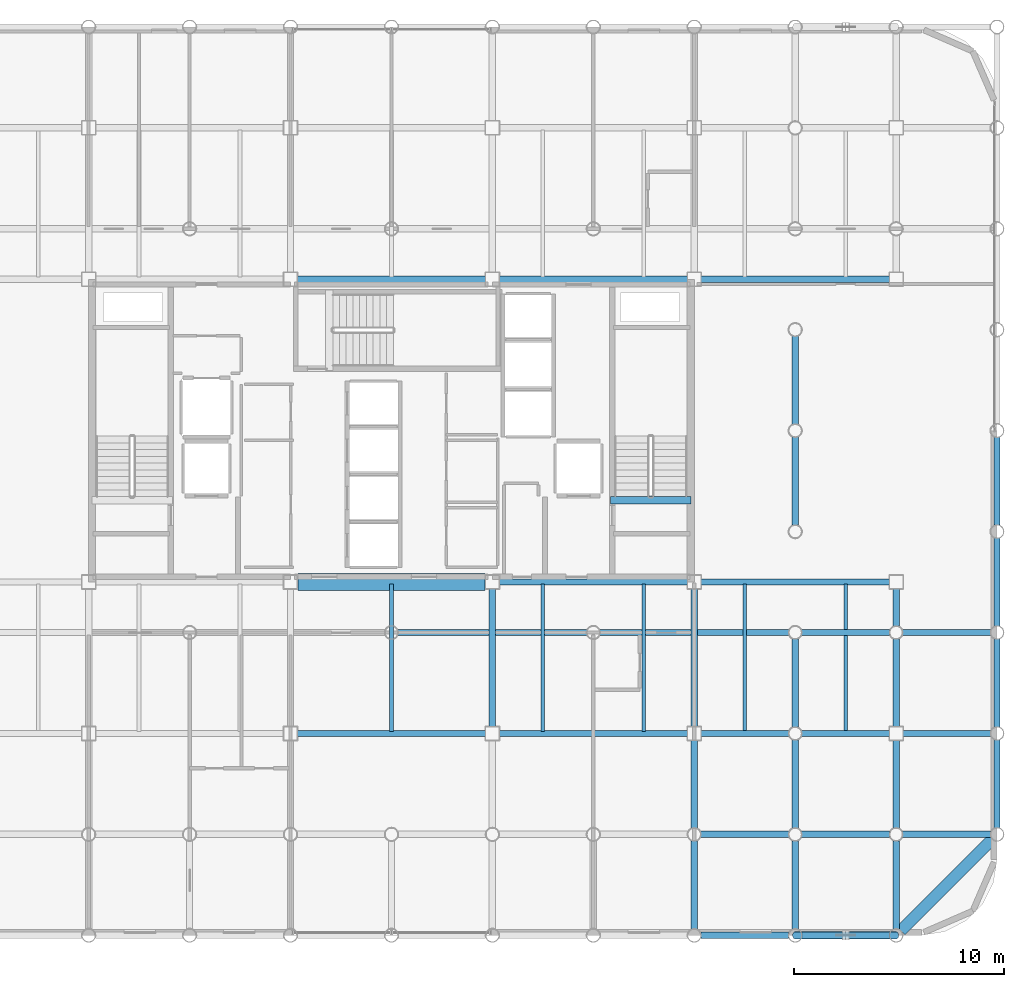
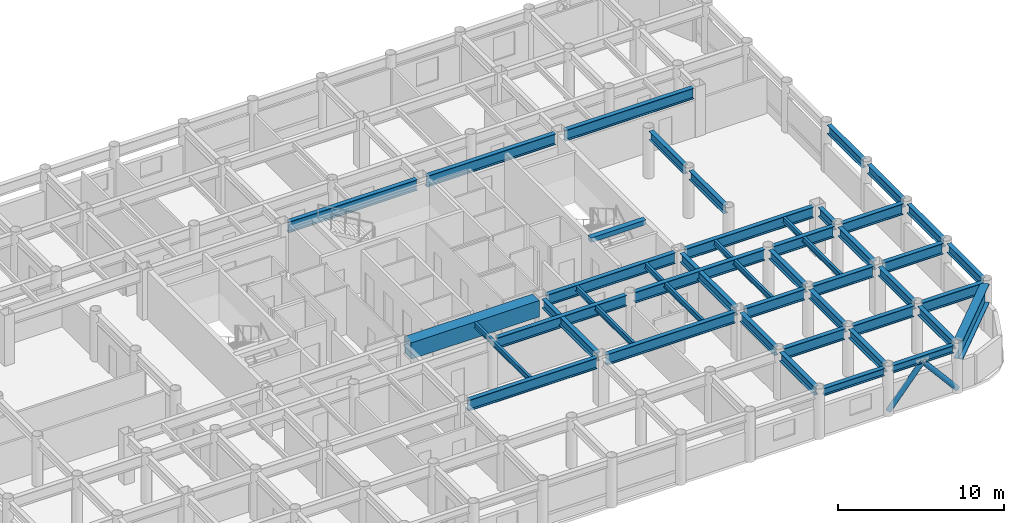
# One storey, part 7 of 20: 44 beams, 2 members.
"""IFC4 building model written with IfcOpenShell, lengths in metres."""

from ifc_helpers import new_model, si_unit, direction, frame, origin, origin_2d, place, context, subcontext, project, spatial, rectangle, hollow_circle, i_section, extrude, material, material_profile, profile_set, type_object, element, save


model = new_model("IFC4")

# Units and contexts
model_context = context("Model", 3, precision=1e-05, world=origin(), true_north=direction((0.0, 1.0)))
body_context = subcontext(model_context, "Body", "Model", "MODEL_VIEW")
ifc_project = project(units=[si_unit("LENGTHUNIT", "METRE"), si_unit("AREAUNIT", "SQUARE_METRE"), si_unit("VOLUMEUNIT", "CUBIC_METRE"), si_unit("PLANEANGLEUNIT", "RADIAN"), si_unit("MASSUNIT", "GRAM", prefix="KILO")], contexts=[model_context])

# Site, building, storey
site_placement = place(None, origin())
site = spatial("IfcSite", under=ifc_project, at=site_placement, CompositionType="ELEMENT")
building_placement = place(site_placement, origin())
building = spatial("IfcBuilding", under=site, at=building_placement, Name="Kallvorn Hotel Tower", CompositionType="ELEMENT")
storey_placement = place(building_placement, frame((0.0, 0.0, 172.89990234375)))
storey = spatial("IfcBuildingStorey", under=building, at=storey_placement, Name="L43", CompositionType="ELEMENT", Elevation=172.89990234375)

# Beams
ifc_material_1 = material(Name="Structural steel S355JR", Category="steel")
ifc_material_profile_1 = material_profile(ifc_material_1, i_section(OverallWidth=0.300048828125, OverallDepth=0.550048828125, WebThickness=0.014892578125, FlangeThickness=0.029052734375, at=origin_2d()), Name="HE 550 B")
ifc_profile_set_1 = profile_set([ifc_material_profile_1], Name="Structural steel S355JR")
beam_type_1 = type_object("IfcBeamType", Name="BM_HE550B", PredefinedType="SPANDREL", material=ifc_profile_set_1)
for number, where, z_axis, x_axis, name in (
    (1, (14.719970703125, -24.0, 3.2451171875), (1.0, 0.0, 0.0), (0.0, 1.0, 0.0), "L44 Perimeter Spandrel 160"),
    (2, (19.52001953125, -24.0, 3.2451171875), (1.0, 0.0, 0.0), (0.0, 1.0, 0.0), "L44 Perimeter Spandrel 161"),
):
    element("IfcBeam", number, at=place(storey_placement, frame(where, z_axis=z_axis, x_axis=x_axis)), inside=storey, type_object=beam_type_1, Name=name, PredefinedType="SPANDREL", context=body_context, shape_type="SweptSolid", body=[
        extrude(i_section(OverallWidth=0.300048828125, OverallDepth=0.550048828125, WebThickness=0.014892578125, FlangeThickness=0.029052734375, at=origin_2d()), origin(), (0.0, 0.0, 1.0), 4.159912109375),
    ])
ifc_material_2 = material(Name="Structural steel S355JR", Category="steel")
ifc_material_profile_2 = material_profile(ifc_material_2, i_section(OverallWidth=0.300048828125, OverallDepth=0.64990234375, WebThickness=0.01611328125, FlangeThickness=0.031005859375, at=origin_2d()), Name="HE 650 B")
ifc_profile_set_2 = profile_set([ifc_material_profile_2], Name="Structural steel S355JR")
beam_type_2 = type_object("IfcBeamType", Name="BM_HE650B", PredefinedType="BEAM", material=ifc_profile_set_2)
beam_1_placement = place(storey_placement, frame((4.800048828125, -14.074951171875, 3.195068359375), z_axis=(0.0, 1.0, 0.0), x_axis=(-1.0, 0.0, 0.0)))
element("IfcBeam", 3, at=beam_1_placement, inside=storey, type_object=beam_type_2, Name="L44 Primary Y-Girder 116", PredefinedType="BEAM", context=body_context, shape_type="SweptSolid", body=[
    extrude(i_section(OverallWidth=0.300048828125, OverallDepth=0.64990234375, WebThickness=0.01611328125, FlangeThickness=0.031005859375, at=origin_2d()), origin(), (0.0, 0.0, 1.0), 6.550048828125),
])
beam_2_placement = place(storey_placement, frame((14.39990234375, -23.695068359375, 3.195068359375), z_axis=(0.0, 1.0, 0.0), x_axis=(-1.0, 0.0, 0.0)))
element("IfcBeam", 4, at=beam_2_placement, inside=storey, type_object=beam_type_2, Name="L44 Primary Y-Girder 122", PredefinedType="BEAM", context=body_context, shape_type="SweptSolid", body=[
    extrude(i_section(OverallWidth=0.300048828125, OverallDepth=0.64990234375, WebThickness=0.01611328125, FlangeThickness=0.031005859375, at=origin_2d()), origin(), (0.0, 0.0, 1.0), 4.190185546875),
])
beam_3_placement = place(storey_placement, frame((14.39990234375, -18.89501953125, 3.195068359375), z_axis=(0.0, 1.0, 0.0), x_axis=(-1.0, 0.0, 0.0)))
element("IfcBeam", 5, at=beam_3_placement, inside=storey, type_object=beam_type_2, Name="L44 Primary Y-Girder 123", PredefinedType="BEAM", context=body_context, shape_type="SweptSolid", body=[
    extrude(i_section(OverallWidth=0.300048828125, OverallDepth=0.64990234375, WebThickness=0.01611328125, FlangeThickness=0.031005859375, at=origin_2d()), origin(), (0.0, 0.0, 1.0), 4.169921875),
])
beam_4_placement = place(storey_placement, frame((14.39990234375, -14.074951171875, 3.195068359375), z_axis=(0.0, 1.0, 0.0), x_axis=(-1.0, 0.0, 0.0)))
element("IfcBeam", 6, at=beam_4_placement, inside=storey, type_object=beam_type_2, Name="L44 Primary Y-Girder 124", PredefinedType="BEAM", context=body_context, shape_type="SweptSolid", body=[
    extrude(i_section(OverallWidth=0.300048828125, OverallDepth=0.64990234375, WebThickness=0.01611328125, FlangeThickness=0.031005859375, at=origin_2d()), origin(), (0.0, 0.0, 1.0), 6.550048828125),
])
beam_5_placement = place(storey_placement, frame((19.199951171875, -23.695068359375, 3.195068359375), z_axis=(0.0, 1.0, 0.0), x_axis=(-1.0, 0.0, 0.0)))
element("IfcBeam", 7, at=beam_5_placement, inside=storey, type_object=beam_type_2, Name="L44 Primary Y-Girder 127", PredefinedType="BEAM", context=body_context, shape_type="SweptSolid", body=[
    extrude(i_section(OverallWidth=0.300048828125, OverallDepth=0.64990234375, WebThickness=0.01611328125, FlangeThickness=0.031005859375, at=origin_2d()), origin(), (0.0, 0.0, 1.0), 4.190185546875),
])
for number, where, z_axis, x_axis, name in (
    (8, (19.199951171875, -18.89501953125, 3.195068359375), (0.0, 1.0, 0.0), (-1.0, 0.0, 0.0), "L44 Primary Y-Girder 128"),
    (9, (19.199951171875, -14.094970703125, 3.195068359375), (0.0, 1.0, 0.0), (-1.0, 0.0, 0.0), "L44 Primary Y-Girder 129"),
):
    element("IfcBeam", number, at=place(storey_placement, frame(where, z_axis=z_axis, x_axis=x_axis)), inside=storey, type_object=beam_type_2, Name=name, PredefinedType="BEAM", context=body_context, shape_type="SweptSolid", body=[
        extrude(i_section(OverallWidth=0.300048828125, OverallDepth=0.64990234375, WebThickness=0.01611328125, FlangeThickness=0.031005859375, at=origin_2d()), origin(), (0.0, 0.0, 1.0), 4.18994140625),
    ])
for number, where, z_axis, x_axis, name in (
    (10, (19.199951171875, -4.4951171875, 3.195068359375), (0.0, 1.0, 0.0), (-1.0, 0.0, 0.0), "L44 Primary Y-Girder 131"),
    (11, (19.199951171875, 0.304931640625, 3.195068359375), (0.0, 1.0, 0.0), (-1.0, 0.0, 0.0), "L44 Primary Y-Girder 132"),
    (12, (24.0, -23.695068359375, 3.195068359375), (0.0, 1.0, 0.0), (-1.0, 0.0, 0.0), "L44 Primary Y-Girder 136"),
):
    element("IfcBeam", number, at=place(storey_placement, frame(where, z_axis=z_axis, x_axis=x_axis)), inside=storey, type_object=beam_type_2, Name=name, PredefinedType="BEAM", context=body_context, shape_type="SweptSolid", body=[
        extrude(i_section(OverallWidth=0.300048828125, OverallDepth=0.64990234375, WebThickness=0.01611328125, FlangeThickness=0.031005859375, at=origin_2d()), origin(), (0.0, 0.0, 1.0), 4.190185546875),
    ])
for number, where, z_axis, x_axis, name in (
    (13, (24.0, -18.89501953125, 3.195068359375), (0.0, 1.0, 0.0), (-1.0, 0.0, 0.0), "L44 Primary Y-Girder 137"),
    (14, (24.0, -14.074951171875, 3.195068359375), (0.0, 1.0, 0.0), (-1.0, 0.0, 0.0), "L44 Primary Y-Girder 138"),
):
    element("IfcBeam", number, at=place(storey_placement, frame(where, z_axis=z_axis, x_axis=x_axis)), inside=storey, type_object=beam_type_2, Name=name, PredefinedType="BEAM", context=body_context, shape_type="SweptSolid", body=[
        extrude(i_section(OverallWidth=0.300048828125, OverallDepth=0.64990234375, WebThickness=0.01611328125, FlangeThickness=0.031005859375, at=origin_2d()), origin(), (0.0, 0.0, 1.0), 4.169921875),
    ])
beam_6_placement = place(storey_placement, frame((24.0, -9.294921875, 3.195068359375), z_axis=(0.0, 1.0, 0.0), x_axis=(-1.0, 0.0, 0.0)))
element("IfcBeam", 15, at=beam_6_placement, inside=storey, type_object=beam_type_2, Name="L44 Primary Y-Girder 139", PredefinedType="BEAM", context=body_context, shape_type="SweptSolid", body=[
    extrude(i_section(OverallWidth=0.300048828125, OverallDepth=0.64990234375, WebThickness=0.01611328125, FlangeThickness=0.031005859375, at=origin_2d()), origin(), (0.0, 0.0, 1.0), 1.77001953125),
])
for number, where, z_axis, x_axis, name in (
    (16, (28.800048828125, -18.89501953125, 3.195068359375), (0.0, 1.0, 0.0), (-1.0, 0.0, 0.0), "L44 Primary Y-Girder 143"),
    (17, (28.800048828125, -14.094970703125, 3.195068359375), (0.0, 1.0, 0.0), (-1.0, 0.0, 0.0), "L44 Primary Y-Girder 144"),
    (18, (28.800048828125, -9.294921875, 3.195068359375), (0.0, 1.0, 0.0), (-1.0, 0.0, 0.0), "L44 Primary Y-Girder 145"),
):
    element("IfcBeam", number, at=place(storey_placement, frame(where, z_axis=z_axis, x_axis=x_axis)), inside=storey, type_object=beam_type_2, Name=name, PredefinedType="BEAM", context=body_context, shape_type="SweptSolid", body=[
        extrude(i_section(OverallWidth=0.300048828125, OverallDepth=0.64990234375, WebThickness=0.01611328125, FlangeThickness=0.031005859375, at=origin_2d()), origin(), (0.0, 0.0, 1.0), 4.18994140625),
    ])
beam_7_placement = place(storey_placement, frame((28.800048828125, -4.4951171875, 3.195068359375), z_axis=(0.0, 1.0, 0.0), x_axis=(-1.0, 0.0, 0.0)))
element("IfcBeam", 19, at=beam_7_placement, inside=storey, type_object=beam_type_2, Name="L44 Primary Y-Girder 146", PredefinedType="BEAM", context=body_context, shape_type="SweptSolid", body=[
    extrude(i_section(OverallWidth=0.300048828125, OverallDepth=0.64990234375, WebThickness=0.01611328125, FlangeThickness=0.031005859375, at=origin_2d()), origin(), (0.0, 0.0, 1.0), 4.190185546875),
])
ifc_material_3 = material(Name="Structural steel S355JR", Category="steel")
ifc_material_profile_3 = material_profile(ifc_material_3, i_section(OverallWidth=0.300048828125, OverallDepth=0.800048828125, WebThickness=0.017578125, FlangeThickness=0.032958984375, at=origin_2d()), Name="HE 800 B")
ifc_profile_set_3 = profile_set([ifc_material_profile_3], Name="Structural steel S355JR")
beam_type_3 = type_object("IfcBeamType", Name="BM_HE800B", PredefinedType="BEAM", material=ifc_profile_set_3)
beam_8_placement = place(storey_placement, frame((14.705078125, -19.199951171875, 3.1201171875), z_axis=(1.0, 0.0, 0.0), x_axis=(0.0, 1.0, 0.0)))
element("IfcBeam", 20, at=beam_8_placement, inside=storey, type_object=beam_type_3, Name="L44 Primary X-Girder 11", PredefinedType="BEAM", context=body_context, shape_type="SweptSolid", body=[
    extrude(i_section(OverallWidth=0.300048828125, OverallDepth=0.800048828125, WebThickness=0.017578125, FlangeThickness=0.032958984375, at=origin_2d()), origin(), (0.0, 0.0, 1.0), 4.18994140625),
])
for number, where, z_axis, x_axis, name in (
    (21, (19.5048828125, -19.199951171875, 3.1201171875), (1.0, 0.0, 0.0), (0.0, 1.0, 0.0), "L44 Primary X-Girder 12"),
    (22, (24.304931640625, -19.199951171875, 3.1201171875), (1.0, 0.0, 0.0), (0.0, 1.0, 0.0), "L44 Primary X-Girder 13"),
):
    element("IfcBeam", number, at=place(storey_placement, frame(where, z_axis=z_axis, x_axis=x_axis)), inside=storey, type_object=beam_type_3, Name=name, PredefinedType="BEAM", context=body_context, shape_type="SweptSolid", body=[
        extrude(i_section(OverallWidth=0.300048828125, OverallDepth=0.800048828125, WebThickness=0.017578125, FlangeThickness=0.032958984375, at=origin_2d()), origin(), (0.0, 0.0, 1.0), 4.190185546875),
    ])
beam_9_placement = place(storey_placement, frame((-4.47509765625, -14.39990234375, 3.1201171875), z_axis=(1.0, 0.0, 0.0), x_axis=(0.0, 1.0, 0.0)))
element("IfcBeam", 23, at=beam_9_placement, inside=storey, type_object=beam_type_3, Name="L44 Primary X-Girder 19", PredefinedType="BEAM", context=body_context, shape_type="SweptSolid", body=[
    extrude(i_section(OverallWidth=0.300048828125, OverallDepth=0.800048828125, WebThickness=0.017578125, FlangeThickness=0.032958984375, at=origin_2d()), origin(), (0.0, 0.0, 1.0), 8.9501953125),
])
beam_10_placement = place(storey_placement, frame((5.125, -14.39990234375, 3.1201171875), z_axis=(1.0, 0.0, 0.0), x_axis=(0.0, 1.0, 0.0)))
element("IfcBeam", 24, at=beam_10_placement, inside=storey, type_object=beam_type_3, Name="L44 Primary X-Girder 20", PredefinedType="BEAM", context=body_context, shape_type="SweptSolid", body=[
    extrude(i_section(OverallWidth=0.300048828125, OverallDepth=0.800048828125, WebThickness=0.017578125, FlangeThickness=0.032958984375, at=origin_2d()), origin(), (0.0, 0.0, 1.0), 8.949951171875),
])
beam_11_placement = place(storey_placement, frame((14.72509765625, -14.39990234375, 3.1201171875), z_axis=(1.0, 0.0, 0.0), x_axis=(0.0, 1.0, 0.0)))
element("IfcBeam", 25, at=beam_11_placement, inside=storey, type_object=beam_type_3, Name="L44 Primary X-Girder 21", PredefinedType="BEAM", context=body_context, shape_type="SweptSolid", body=[
    extrude(i_section(OverallWidth=0.300048828125, OverallDepth=0.800048828125, WebThickness=0.017578125, FlangeThickness=0.032958984375, at=origin_2d()), origin(), (0.0, 0.0, 1.0), 4.169921875),
])
for number, where, z_axis, x_axis, name in (
    (26, (19.5048828125, -14.39990234375, 3.1201171875), (1.0, 0.0, 0.0), (0.0, 1.0, 0.0), "L44 Primary X-Girder 22"),
    (27, (24.324951171875, -14.39990234375, 3.1201171875), (1.0, 0.0, 0.0), (0.0, 1.0, 0.0), "L44 Primary X-Girder 23"),
):
    element("IfcBeam", number, at=place(storey_placement, frame(where, z_axis=z_axis, x_axis=x_axis)), inside=storey, type_object=beam_type_3, Name=name, PredefinedType="BEAM", context=body_context, shape_type="SweptSolid", body=[
        extrude(i_section(OverallWidth=0.300048828125, OverallDepth=0.800048828125, WebThickness=0.017578125, FlangeThickness=0.032958984375, at=origin_2d()), origin(), (0.0, 0.0, 1.0), 4.170166015625),
    ])
for number, where, z_axis, x_axis, name in (
    (28, (0.304931640625, -9.60009765625, 3.1201171875), (1.0, 0.0, 0.0), (0.0, 1.0, 0.0), "L44 Primary X-Girder 29"),
    (29, (9.905029296875, -9.60009765625, 3.1201171875), (1.0, 0.0, 0.0), (0.0, 1.0, 0.0), "L44 Primary X-Girder 30"),
):
    element("IfcBeam", number, at=place(storey_placement, frame(where, z_axis=z_axis, x_axis=x_axis)), inside=storey, type_object=beam_type_3, Name=name, PredefinedType="BEAM", context=body_context, shape_type="SweptSolid", body=[
        extrude(i_section(OverallWidth=0.300048828125, OverallDepth=0.800048828125, WebThickness=0.017578125, FlangeThickness=0.032958984375, at=origin_2d()), origin(), (0.0, 0.0, 1.0), 8.989990234375),
    ])
for number, where, z_axis, x_axis, name in (
    (30, (19.5048828125, -9.60009765625, 3.1201171875), (1.0, 0.0, 0.0), (0.0, 1.0, 0.0), "L44 Primary X-Girder 31"),
    (31, (24.304931640625, -9.60009765625, 3.1201171875), (1.0, 0.0, 0.0), (0.0, 1.0, 0.0), "L44 Primary X-Girder 32"),
):
    element("IfcBeam", number, at=place(storey_placement, frame(where, z_axis=z_axis, x_axis=x_axis)), inside=storey, type_object=beam_type_3, Name=name, PredefinedType="BEAM", context=body_context, shape_type="SweptSolid", body=[
        extrude(i_section(OverallWidth=0.300048828125, OverallDepth=0.800048828125, WebThickness=0.017578125, FlangeThickness=0.032958984375, at=origin_2d()), origin(), (0.0, 0.0, 1.0), 4.190185546875),
    ])
for number, where, z_axis, x_axis, name in (
    (32, (5.125, -7.199951171875, 3.1201171875), (1.0, 0.0, 0.0), (0.0, 1.0, 0.0), "L44 Primary X-Girder 35"),
    (33, (14.72509765625, -7.199951171875, 3.1201171875), (1.0, 0.0, 0.0), (0.0, 1.0, 0.0), "L44 Primary X-Girder 36"),
):
    element("IfcBeam", number, at=place(storey_placement, frame(where, z_axis=z_axis, x_axis=x_axis)), inside=storey, type_object=beam_type_3, Name=name, PredefinedType="BEAM", context=body_context, shape_type="SweptSolid", body=[
        extrude(i_section(OverallWidth=0.300048828125, OverallDepth=0.800048828125, WebThickness=0.017578125, FlangeThickness=0.032958984375, at=origin_2d()), origin(), (0.0, 0.0, 1.0), 8.949951171875),
    ])
beam_12_placement = place(storey_placement, frame((-4.47509765625, 7.199951171875, 3.1201171875), z_axis=(1.0, 0.0, 0.0), x_axis=(0.0, 1.0, 0.0)))
element("IfcBeam", 34, at=beam_12_placement, inside=storey, type_object=beam_type_3, Name="L44 Primary X-Girder 39", PredefinedType="BEAM", context=body_context, shape_type="SweptSolid", body=[
    extrude(i_section(OverallWidth=0.300048828125, OverallDepth=0.800048828125, WebThickness=0.017578125, FlangeThickness=0.032958984375, at=origin_2d()), origin(), (0.0, 0.0, 1.0), 8.9501953125),
])
for number, where, z_axis, x_axis, name in (
    (35, (5.125, 7.199951171875, 3.1201171875), (1.0, 0.0, 0.0), (0.0, 1.0, 0.0), "L44 Primary X-Girder 40"),
    (36, (14.72509765625, 7.199951171875, 3.1201171875), (1.0, 0.0, 0.0), (0.0, 1.0, 0.0), "L44 Primary X-Girder 41"),
):
    element("IfcBeam", number, at=place(storey_placement, frame(where, z_axis=z_axis, x_axis=x_axis)), inside=storey, type_object=beam_type_3, Name=name, PredefinedType="BEAM", context=body_context, shape_type="SweptSolid", body=[
        extrude(i_section(OverallWidth=0.300048828125, OverallDepth=0.800048828125, WebThickness=0.017578125, FlangeThickness=0.032958984375, at=origin_2d()), origin(), (0.0, 0.0, 1.0), 8.949951171875),
    ])
ifc_material_4 = material(Name="Structural steel S355JR", Category="steel")
ifc_material_profile_4 = material_profile(ifc_material_4, i_section(OverallWidth=0.179931640625, OverallDepth=0.39990234375, WebThickness=0.008544921875, FlangeThickness=0.013427734375, at=origin_2d()), Name="IPE 400")
ifc_profile_set_4 = profile_set([ifc_material_profile_4], Name="Structural steel S355JR")
beam_type_4 = type_object("IfcBeamType", Name="BM_IPE400", PredefinedType="JOIST", material=ifc_profile_set_4)
for number, where, z_axis, x_axis, name in (
    (37, (0.0, -14.300048828125, 3.320068359375), (0.0, 1.0, 0.0), (-1.0, 0.0, 0.0), "L44 Secondary Composite Joist 200"),
    (38, (7.199951171875, -14.300048828125, 3.320068359375), (0.0, 1.0, 0.0), (-1.0, 0.0, 0.0), "L44 Secondary Composite Joist 202"),
    (39, (12.0, -14.300048828125, 3.320068359375), (0.0, 1.0, 0.0), (-1.0, 0.0, 0.0), "L44 Secondary Composite Joist 204"),
    (40, (16.800048828125, -14.300048828125, 3.320068359375), (0.0, 1.0, 0.0), (-1.0, 0.0, 0.0), "L44 Secondary Composite Joist 206"),
    (41, (21.60009765625, -14.300048828125, 3.320068359375), (0.0, 1.0, 0.0), (-1.0, 0.0, 0.0), "L44 Secondary Composite Joist 208"),
):
    element("IfcBeam", number, at=place(storey_placement, frame(where, z_axis=z_axis, x_axis=x_axis)), inside=storey, type_object=beam_type_4, Name=name, PredefinedType="JOIST", context=body_context, shape_type="SweptSolid", body=[
        extrude(i_section(OverallWidth=0.179931640625, OverallDepth=0.39990234375, WebThickness=0.008544921875, FlangeThickness=0.013427734375, at=origin_2d()), origin(), (0.0, 0.0, 1.0), 7.0),
    ])
ifc_material_5 = material(Name="Structural steel S355JR", Category="steel")
ifc_material_profile_5 = material_profile(ifc_material_5, i_section(OverallWidth=0.550048828125, OverallDepth=1.39990234375, WebThickness=0.02490234375, FlangeThickness=0.044921875, at=origin_2d()), Name="PG 1400x550x25x45")
ifc_profile_set_5 = profile_set([ifc_material_profile_5], Name="Structural steel S355JR")
beam_type_5 = type_object("IfcBeamType", Name="BM_PG_1400", PredefinedType="BEAM", material=ifc_profile_set_5)
beam_13_placement = place(storey_placement, frame((28.57373046875, -19.42626953125, 2.820068359375), z_axis=(-0.707106781187, -0.707106781187, 0.0), x_axis=(0.707106781187, -0.707106781187, 0.0)))
element("IfcBeam", 42, at=beam_13_placement, inside=storey, type_object=beam_type_5, Name="L44 Rounded Corner Tie Beam 191", PredefinedType="BEAM", context=body_context, shape_type="SweptSolid", body=[
    extrude(i_section(OverallWidth=0.550048828125, OverallDepth=1.39990234375, WebThickness=0.02490234375, FlangeThickness=0.044921875, at=origin_2d()), origin(), (0.0, 0.0, 1.0), 6.148193359375),
])
ifc_material_6 = material(Name="Concrete C50/60", Category="concrete")
ifc_material_profile_6 = material_profile(ifc_material_6, rectangle(XDim=0.360107421875, YDim=0.340087890625, at=origin_2d()), Name="RC 360x340")
ifc_profile_set_6 = profile_set([ifc_material_profile_6], Name="Concrete C50/60")
beam_type_6 = type_object("IfcBeamType", Name="BM_RC_400x360", PredefinedType="BEAM", material=ifc_profile_set_6)
beam_14_placement = place(storey_placement, frame((14.239990234375, -3.31005859375, 3.35009765625), z_axis=(-1.0, 0.0, 0.0), x_axis=(0.0, -1.0, 0.0)))
element("IfcBeam", 43, at=beam_14_placement, inside=storey, type_object=beam_type_6, Name="L44 Stair ST2 Arrival Trimmer Beam", PredefinedType="BEAM", context=body_context, shape_type="SweptSolid", body=[
    extrude(rectangle(XDim=0.360107421875, YDim=0.340087890625, at=origin_2d()), origin(), (0.0, 0.0, 1.0), 3.820068359375),
])
ifc_material_7 = material(Name="Concrete C50/60", Category="concrete")
ifc_material_profile_7 = material_profile(ifc_material_7, rectangle(XDim=0.800048828125, YDim=1.199951171875, at=origin_2d()), Name="RC 800x1200")
ifc_profile_set_7 = profile_set([ifc_material_profile_7], Name="Concrete C50/60")
beam_type_7 = type_object("IfcBeamType", Name="BM_RC_800x1200", PredefinedType="T_BEAM", material=ifc_profile_set_7)
beam_15_placement = place(storey_placement, frame((-4.449951171875, -7.199951171875, 2.920166015625), z_axis=(1.0, 0.0, 0.0), x_axis=(0.0, 1.0, 0.0)))
element("IfcBeam", 44, at=beam_15_placement, inside=storey, type_object=beam_type_7, Name="L43 Core Coupling Beam South", PredefinedType="T_BEAM", context=body_context, shape_type="SweptSolid", body=[
    extrude(rectangle(XDim=0.800048828125, YDim=1.199951171875, at=origin_2d()), origin(), (0.0, 0.0, 1.0), 8.89990234375),
])

# Members
ifc_material_8 = material(Name="Structural steel S355J2H", Category="steel")
ifc_material_profile_8 = material_profile(ifc_material_8, hollow_circle(Radius=0.177734375, WallThickness=0.01416015625, at=origin_2d()), Name="CHS 355.6x14.2")
ifc_profile_set_8 = profile_set([ifc_material_profile_8], Name="Structural steel S355J2H")
member_type = type_object("IfcMemberType", Name="MBR_EXO_CHS355", PredefinedType="BRACE", material=ifc_profile_set_8)
for number, where, z_axis, x_axis, name in (
    (45, (19.212890625, -24.0, 0.1953125), (0.646800487591, 0.0, 0.762659248453), (0.0, 1.0, 0.0), "L43 Exoskeleton K-Brace S2A"),
    (46, (23.987060546875, -24.0, 0.1953125), (-0.646800487591, 0.0, 0.762659248453), (0.0, -1.0, 0.0), "L43 Exoskeleton K-Brace S2B"),
):
    element("IfcMember", number, at=place(storey_placement, frame(where, z_axis=z_axis, x_axis=x_axis)), inside=storey, type_object=member_type, Name=name, PredefinedType="BRACE", context=body_context, shape_type="SweptSolid", body=[
        extrude(hollow_circle(Radius=0.177734375, WallThickness=0.01416015625, at=origin_2d()), origin(), (0.0, 0.0, 1.0), 3.6708984375),
    ])

save(model, "model.ifc")
